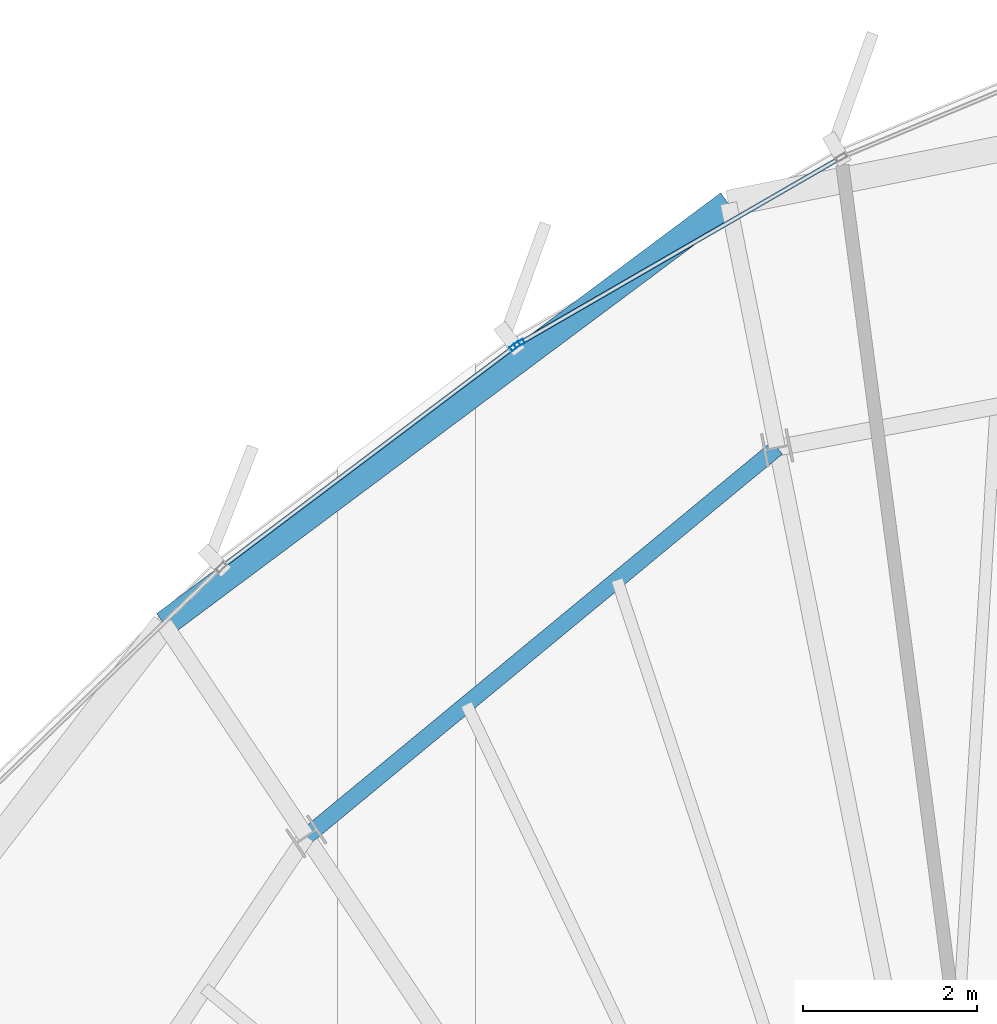
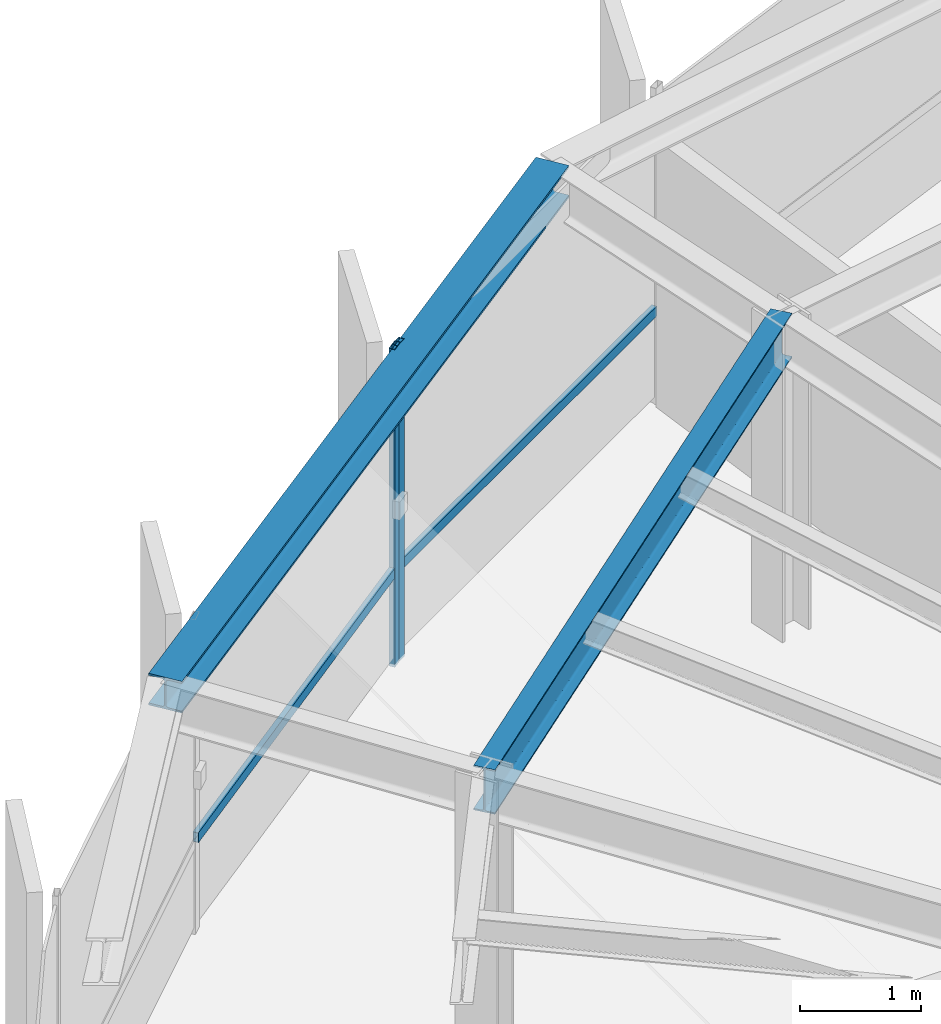
# One storey, part 20 of 34: 4 members, 2 beams, 2 elements without a shape of their own.
"""IFC4 building model written with IfcOpenShell, lengths in metres."""

from ifc_helpers import new_model, si_unit, direction, frame, origin, origin_2d, place, context, subcontext, project, spatial, hollow_rectangle, i_section, extrude, source, transform, mapped, material, layer, layer_set, material_profile, profile_set, type_object, element, aggregate, save


model = new_model("IFC4")

# Units and contexts
model_context = context("Model", 3, precision=1e-05, world=origin(), true_north=direction((0.0, 1.0)))
body_context = subcontext(model_context, "Body", "Model", "MODEL_VIEW")
ifc_project = project(units=[si_unit("LENGTHUNIT", "METRE"), si_unit("AREAUNIT", "SQUARE_METRE"), si_unit("VOLUMEUNIT", "CUBIC_METRE"), si_unit("PLANEANGLEUNIT", "RADIAN"), si_unit("MASSUNIT", "GRAM", prefix="KILO"), si_unit("THERMODYNAMICTEMPERATUREUNIT", "KELVIN")], contexts=[model_context])

# Site, building, storey
site_placement = place(None, origin())
site = spatial("IfcSite", under=ifc_project, at=site_placement, CompositionType="ELEMENT")
building_placement = place(site_placement, origin())
building = spatial("IfcBuilding", under=site, at=building_placement, Name="Kethvar Cultural Tower", CompositionType="ELEMENT")
storey_placement = place(building_placement, frame((0.0, 0.0, 259.449951171875)))
storey = spatial("IfcBuildingStorey", under=building, at=storey_placement, Name="L68", CompositionType="ELEMENT", Elevation=259.449951171875)

# Beams
ifc_material_1 = material(Name="Steel S355J2", Category="steel")
ifc_material_profile_1 = material_profile(ifc_material_1, i_section(OverallWidth=0.18994140625, OverallDepth=0.449951171875, WebThickness=0.009521484375, FlangeThickness=0.0146484375, FilletRadius=0.02099609375, at=origin_2d()), Name="Steel S355J2 — IPE450")
ifc_profile_set_1 = profile_set([ifc_material_profile_1], Name="Steel S355J2 — IPE450")
beam_type_1 = type_object("IfcBeamType", Name="BM-IPE450", PredefinedType="BEAM", material=ifc_profile_set_1)
shared_shape_1 = source(origin(), body_context, "Body", "SweptSolid", [
    extrude(i_section(OverallWidth=0.18994140625, OverallDepth=0.449951171875, WebThickness=0.009521484375, FlangeThickness=0.0146484375, FilletRadius=0.02099609375, at=origin_2d()), origin(), (0.0, 0.0, 1.0), 7.03271484375),
])
beam_1_placement = place(storey_placement, frame((43.23291015625, 45.732421875, 2.983154296875), z_axis=(-0.771161072103, -0.636640087391, 0.0), x_axis=(0.636640087391, -0.771161072103, 0.0)))
element("IfcBeam", 1, at=beam_1_placement, inside=storey, type_object=beam_type_1, Name="L68 Column Ring Tie Beam CR-05", PredefinedType="BEAM", context=body_context, shape_type="MappedRepresentation", body=[
    mapped(shared_shape_1, transform((0.0, 0.0, 0.0), scale=1.0)),
])
ifc_material_profile_2 = material_profile(ifc_material_1, i_section(OverallWidth=0.300048828125, OverallDepth=0.320068359375, WebThickness=0.011474609375, FlangeThickness=0.0205078125, FilletRadius=0.027099609375, at=origin_2d()), Name="Steel S355J2 — HEB320")
ifc_profile_set_2 = profile_set([ifc_material_profile_2], Name="Steel S355J2 — HEB320")
beam_type_2 = type_object("IfcBeamType", Name="BM-SP320", PredefinedType="SPANDREL", material=ifc_profile_set_2)
shared_shape_2 = source(origin(), body_context, "Body", "SweptSolid", [
    extrude(i_section(OverallWidth=0.300048828125, OverallDepth=0.320068359375, WebThickness=0.011474609375, FlangeThickness=0.0205078125, FilletRadius=0.027099609375, at=origin_2d()), origin(), (0.0, 0.0, 1.0), 8.106689453125),
])
beam_2_placement = place(storey_placement, frame((42.672607421875, 48.548828125, 3.048095703125), z_axis=(-0.801547720961, -0.597930807889, 0.0), x_axis=(0.597930807889, -0.801547720961, 0.0)))
element("IfcBeam", 2, at=beam_2_placement, inside=storey, type_object=beam_type_2, Name="L68 Perimeter Spandrel Beam SP-05", PredefinedType="SPANDREL", context=body_context, shape_type="MappedRepresentation", body=[
    mapped(shared_shape_2, transform((0.0, 0.0, 0.0), scale=1.0)),
])

# Curtain wall, member
ifc_material_2 = material(Name="Aluminium 6063-T6", Category="aluminium")
ifc_layer = layer(ifc_material_2, 0.179931640625, Name="Aluminium 6063-T6", Category="aluminium")
ifc_layer_set = layer_set([ifc_layer], Name="Aluminium 6063-T6 (180 mm)")
curtain_wall_type = type_object("IfcCurtainWallType", Name="CW-SYS-05-Z56", PredefinedType="NOTDEFINED", material=ifc_layer_set)
curtain_wall_1_placement = place(storey_placement, origin())
curtain_wall_1 = element("IfcCurtainWall", 3, at=curtain_wall_1_placement, inside=storey, type_object=curtain_wall_type, Name="L68 Curtain Wall Run 01", PredefinedType="NOTDEFINED")
ifc_material_profile_3 = material_profile(ifc_material_2, hollow_rectangle(XDim=0.054931640625, YDim=0.1201171875, WallThickness=0.00390625, at=origin_2d()), Name="Aluminium 6063-T6 — RHS120x55x4")
ifc_profile_set_3 = profile_set([ifc_material_profile_3], Name="Aluminium 6063-T6 — RHS120x55x4")
member_type_1 = type_object("IfcMemberType", Name="CW-SYS-05-Z56-MUL", PredefinedType="MULLION", material=ifc_profile_set_3)
shared_shape_3 = source(origin(), body_context, "Body", "SweptSolid", [
    extrude(hollow_rectangle(XDim=0.054931640625, YDim=0.1201171875, WallThickness=0.00390625, at=origin_2d()), origin(), (0.0, 0.0, 1.0), 3.2099609375),
])
member_1_placement = place(storey_placement, frame((40.263916015625, 46.934814453125, 0.0), z_axis=(0.0, 0.0, 1.0), x_axis=(0.50042316013, -0.865780954287, 0.0)))
member_1 = element("IfcMember", 4, at=member_1_placement, type_object=member_type_1, Name="CW-L68-R01 Mullion 7", PredefinedType="MULLION", context=body_context, shape_type="MappedRepresentation", body=[
    mapped(shared_shape_3, transform((0.0, 0.0, 0.0), scale=1.0)),
])

curtain_wall_2_placement = place(storey_placement, origin())
curtain_wall_2 = element("IfcCurtainWall", 5, at=curtain_wall_2_placement, inside=storey, type_object=curtain_wall_type, Name="L68 Curtain Wall Run 02", PredefinedType="NOTDEFINED")
member_2_placement = place(storey_placement, frame((40.21435546875, 46.902099609375, 0.0), z_axis=(0.0, 0.0, 1.0), x_axis=(0.601145748721, -0.799139405107, 0.0)))
member_2 = element("IfcMember", 6, at=member_2_placement, type_object=member_type_1, Name="CW-L68-R02 Mullion 1", PredefinedType="MULLION", context=body_context, shape_type="MappedRepresentation", body=[
    mapped(shared_shape_3, transform((0.0, 0.0, 0.0), scale=1.0)),
])

# Member
ifc_material_profile_4 = material_profile(ifc_material_2, hollow_rectangle(XDim=0.050048828125, YDim=0.10009765625, WallThickness=0.00390625, at=origin_2d()), Name="Aluminium 6063-T6 — RHS100x50x4")
ifc_profile_set_4 = profile_set([ifc_material_profile_4], Name="Aluminium 6063-T6 — RHS100x50x4")
member_type_2 = type_object("IfcMemberType", Name="CW-SYS-05-Z56-TRN", PredefinedType="USERDEFINED", material=ifc_profile_set_4)
shared_shape_4 = source(origin(), body_context, "Body", "SweptSolid", [
    extrude(hollow_rectangle(XDim=0.050048828125, YDim=0.10009765625, WallThickness=0.00390625, at=origin_2d()), origin(), (0.0, 0.0, 1.0), 4.240234375),
])
member_3_placement = place(storey_placement, frame((43.938232421875, 49.05859375, 0.949951171875), z_axis=(-0.865791349426, -0.500405175092, 0.0), x_axis=(0.500405175092, -0.865791349426, 0.0)))
member_3 = element("IfcMember", 7, at=member_3_placement, type_object=member_type_2, Name="CW-L68-R01 Transom 6", ObjectType="TRANSOM", PredefinedType="USERDEFINED", context=body_context, shape_type="MappedRepresentation", body=[
    mapped(shared_shape_4, transform((0.0, 0.0, 0.0), scale=1.0)),
])

aggregate(curtain_wall_1, [member_1, member_3])

shared_shape_5 = source(origin(), body_context, "Body", "SweptSolid", [
    extrude(hollow_rectangle(XDim=0.050048828125, YDim=0.10009765625, WallThickness=0.00390625, at=origin_2d()), origin(), (0.0, 0.0, 1.0), 4.203857421875),
])
member_4_placement = place(storey_placement, frame((40.21142578125, 46.89990234375, 0.949951171875), z_axis=(-0.799134989352, -0.601151618807, 0.0), x_axis=(0.601151618807, -0.799134989352, 0.0)))
member_4 = element("IfcMember", 8, at=member_4_placement, type_object=member_type_2, Name="CW-L68-R02 Transom 1", ObjectType="TRANSOM", PredefinedType="USERDEFINED", context=body_context, shape_type="MappedRepresentation", body=[
    mapped(shared_shape_5, transform((0.0, 0.0, 0.0), scale=1.0)),
])

aggregate(curtain_wall_2, [member_2, member_4])

save(model, "model.ifc")
